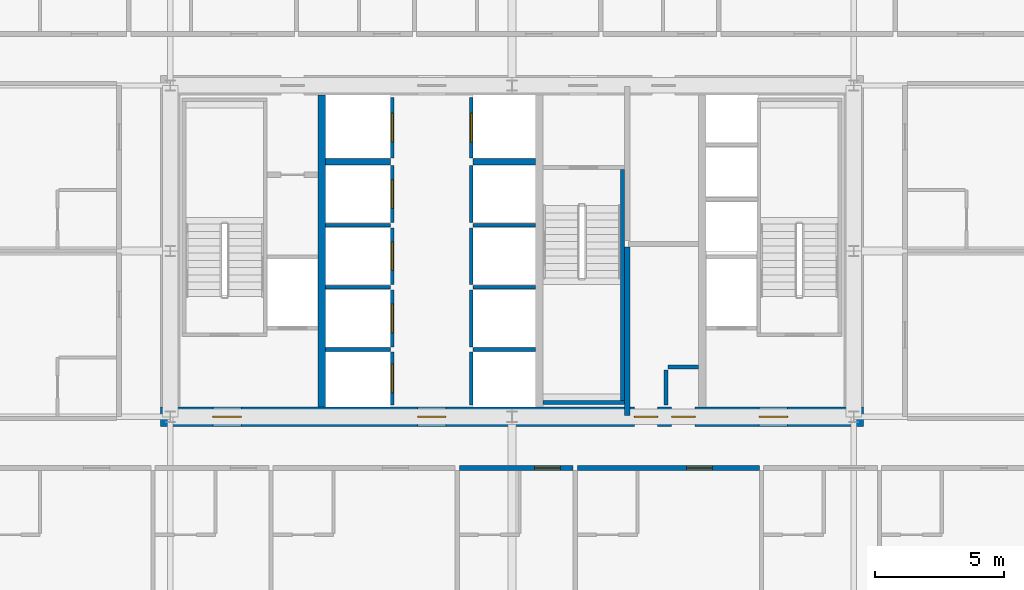
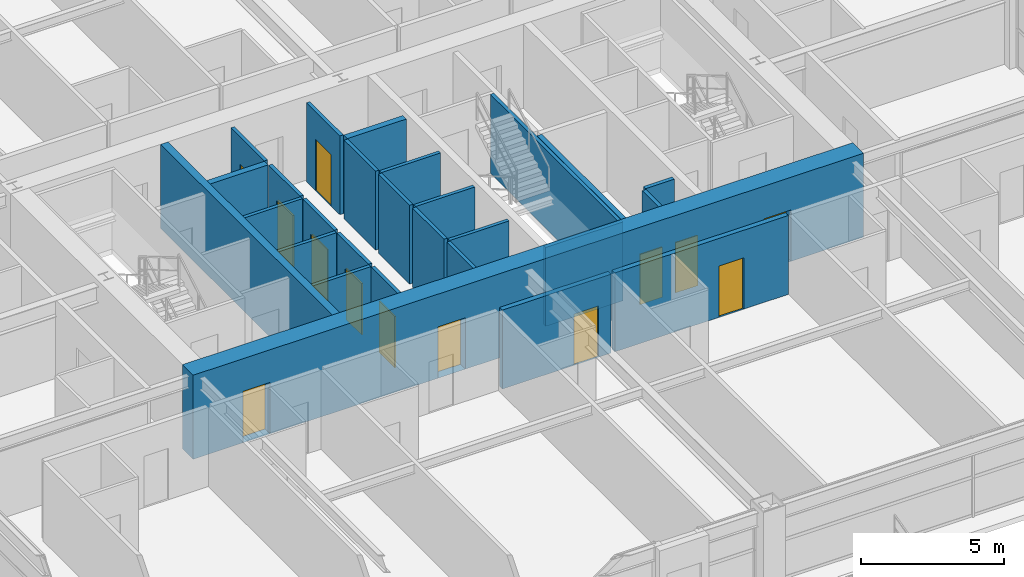
# One storey, part 39 of 43: 27 walls, 13 doors, 13 openings.
"""IFC4 building model written with IfcOpenShell, lengths in metres."""

from ifc_helpers import new_model, si_unit, direction, frame, frame_2d, origin, place, context, subcontext, project, spatial, rectangle, extrude, source, transform, mapped, material, layer, layer_set, type_object, element, fill, save


model = new_model("IFC4")

# Units and contexts
model_context = context("Model", 3, precision=1e-05, world=origin(), true_north=direction((0.0, 1.0)))
body_context = subcontext(model_context, "Body", "Model", "MODEL_VIEW")
ifc_project = project(units=[si_unit("LENGTHUNIT", "METRE"), si_unit("AREAUNIT", "SQUARE_METRE"), si_unit("VOLUMEUNIT", "CUBIC_METRE"), si_unit("PLANEANGLEUNIT", "RADIAN"), si_unit("MASSUNIT", "GRAM", prefix="KILO"), si_unit("THERMODYNAMICTEMPERATUREUNIT", "KELVIN"), si_unit("POWERUNIT", "WATT")], contexts=[model_context])

# Site, building, storey
site_placement = place(None, origin())
site = spatial("IfcSite", under=ifc_project, at=site_placement, CompositionType="ELEMENT")
building_placement = place(site_placement, origin())
building = spatial("IfcBuilding", under=site, at=building_placement, Name="Yuzanri Waterfront Tower", CompositionType="ELEMENT")
storey_placement = place(building_placement, frame((0.0, 0.0, 93.800048828125)))
storey = spatial("IfcBuildingStorey", under=building, at=storey_placement, Name="L24", CompositionType="ELEMENT", Elevation=93.800048828125)

# Wall, openings, doors
ifc_material_1 = material(Name="Concrete C55", Category="concrete")
ifc_layer_1 = layer(ifc_material_1, 0.75)
ifc_layer_set_1 = layer_set([ifc_layer_1], Name="Concrete C55")
wall_type_1 = type_object("IfcWallType", Name="Concrete C55 Low-Mid Zone Core Shear Wall 750", PredefinedType="SHEAR", material=ifc_layer_set_1)
wall_1_placement = place(storey_placement, frame((23.425048828125, 19.39990234375, 0.0), z_axis=(0.0, 0.0, 1.0), x_axis=(1.0, 0.0, 0.0)))
wall_1 = element("IfcWall", 1, at=wall_1_placement, inside=storey, type_object=wall_type_1, Name="L24 Core South Shear Wall", PredefinedType="SHEAR", context=body_context, shape_type="SweptSolid", body=[
    extrude(rectangle(XDim=27.14990234375, YDim=0.75, at=frame_2d((13.574951171875, 0.0))), origin(), (0.0, 0.0, 1.0), 3.599853515625),
])
opening_1_placement = place(wall_1_placement, frame((2.02490234375, 0.0, 0.0)))
opening_1 = element("IfcOpeningElement", 2, at=opening_1_placement, cuts=wall_1, Name="Opening FD-1100", PredefinedType="OPENING", context=body_context, shape_type="SweptSolid", body=[
    extrude(rectangle(XDim=1.10009765625, YDim=2.199951171875, at=frame_2d((0.550048828125, 1.10009765625))), frame((0.0, 0.389892578125, 0.0), z_axis=(0.0, -1.0, 0.0), x_axis=(1.0, 0.0, 0.0)), (0.0, 0.0, 1.0), 0.77978515625),
])
opening_2_placement = place(wall_1_placement, frame((9.925048828125, 0.0, 0.0)))
opening_2 = element("IfcOpeningElement", 3, at=opening_2_placement, cuts=wall_1, Name="Opening FD-1100", PredefinedType="OPENING", context=body_context, shape_type="SweptSolid", body=[
    extrude(rectangle(XDim=1.10009765625, YDim=2.199951171875, at=frame_2d((0.550048828125, 1.10009765625))), frame((0.0, 0.389892578125, 0.0), z_axis=(0.0, -1.0, 0.0), x_axis=(1.0, 0.0, 0.0)), (0.0, 0.0, 1.0), 0.77978515625),
])
opening_3_placement = place(wall_1_placement, frame((23.125, 0.0, 0.0)))
opening_3 = element("IfcOpeningElement", 4, at=opening_3_placement, cuts=wall_1, Name="Opening FD-1100", PredefinedType="OPENING", context=body_context, shape_type="SweptSolid", body=[
    extrude(rectangle(XDim=1.10009765625, YDim=2.199951171875, at=frame_2d((0.550048828125, 1.10009765625))), frame((0.0, 0.389892578125, 0.0), z_axis=(0.0, -1.0, 0.0), x_axis=(1.0, 0.0, 0.0)), (0.0, 0.0, 1.0), 0.77978515625),
])
opening_4_placement = place(wall_1_placement, frame((19.7451171875, 0.0, 0.0)))
opening_4 = element("IfcOpeningElement", 5, at=opening_4_placement, cuts=wall_1, Name="Opening FD-0900", PredefinedType="OPENING", context=body_context, shape_type="SweptSolid", body=[
    extrude(rectangle(XDim=0.89990234375, YDim=2.14990234375, at=frame_2d((0.449951171875, 1.074951171875))), frame((0.0, 0.389892578125, 0.0), z_axis=(0.0, -1.0, 0.0), x_axis=(1.0, 0.0, 0.0)), (0.0, 0.0, 1.0), 0.77978515625),
])
opening_5_placement = place(wall_1_placement, frame((18.304931640625, 0.0, 0.0)))
opening_5 = element("IfcOpeningElement", 6, at=opening_5_placement, cuts=wall_1, Name="Opening FD-0900", PredefinedType="OPENING", context=body_context, shape_type="SweptSolid", body=[
    extrude(rectangle(XDim=0.89990234375, YDim=2.14990234375, at=frame_2d((0.449951171875, 1.074951171875))), frame((0.0, 0.389892578125, 0.0), z_axis=(0.0, -1.0, 0.0), x_axis=(1.0, 0.0, 0.0)), (0.0, 0.0, 1.0), 0.77978515625),
])
ifc_material_2 = material(Name="Painted Galvanized Fire Steel", Category="steel")
door_type_1 = type_object("IfcDoorType", Name="Smoke-Proof Stair and Lobby Fire Door 1100x2200", OperationType="NOTDEFINED", PredefinedType="DOOR", material=ifc_material_2)
shared_shape_1 = source(origin(), body_context, "Body", "SweptSolid", [
    extrude(rectangle(XDim=1.10009765625, YDim=2.199951171875, at=frame_2d((0.550048828125, 1.10009765625))), frame((0.0, 0.02490234375, 0.0), z_axis=(0.0, -1.0, 0.0), x_axis=(1.0, 0.0, 0.0)), (0.0, 0.0, 1.0), 0.050048828125),
])
door_1_placement = place(opening_1_placement, origin())
door_1 = element("IfcDoor", 7, at=door_1_placement, inside=storey, type_object=door_type_1, Name="L24 West Firefighting Lobby Door", OperationType="SINGLE_SWING_RIGHT", OverallHeight=2.199951171875, OverallWidth=1.10009765625, PredefinedType="DOOR", context=body_context, shape_type="MappedRepresentation", body=[
    mapped(shared_shape_1, transform((0.0, 0.0, 0.0), scale=1.0)),
])
fill(opening_1, door_1)
door_2_placement = place(opening_2_placement, origin())
door_2 = element("IfcDoor", 8, at=door_2_placement, inside=storey, type_object=door_type_1, Name="L24 Central Lift Lobby South Door", OperationType="SINGLE_SWING_LEFT", OverallHeight=2.199951171875, OverallWidth=1.10009765625, PredefinedType="DOOR", context=body_context, shape_type="MappedRepresentation", body=[
    mapped(shared_shape_1, transform((0.0, 0.0, 0.0), scale=1.0)),
])
fill(opening_2, door_2)
door_3_placement = place(opening_3_placement, origin())
door_3 = element("IfcDoor", 9, at=door_3_placement, inside=storey, type_object=door_type_1, Name="L24 East Firefighting Lobby Door", OperationType="SINGLE_SWING_RIGHT", OverallHeight=2.199951171875, OverallWidth=1.10009765625, PredefinedType="DOOR", context=body_context, shape_type="MappedRepresentation", body=[
    mapped(shared_shape_1, transform((0.0, 0.0, 0.0), scale=1.0)),
])
fill(opening_3, door_3)
ifc_material_3 = material(Name="Painted Galvanized Fire Steel", Category="steel")
door_type_2 = type_object("IfcDoorType", Name="Riser and Service Room Fire Door 900x2150", OperationType="NOTDEFINED", PredefinedType="DOOR", material=ifc_material_3)
shared_shape_2 = source(origin(), body_context, "Body", "SweptSolid", [
    extrude(rectangle(XDim=0.89990234375, YDim=2.14990234375, at=frame_2d((0.449951171875, 1.074951171875))), frame((0.0, 0.02490234375, 0.0), z_axis=(0.0, -1.0, 0.0), x_axis=(1.0, 0.0, 0.0)), (0.0, 0.0, 1.0), 0.050048828125),
])
door_4_placement = place(opening_4_placement, origin())
door_4 = element("IfcDoor", 10, at=door_4_placement, inside=storey, type_object=door_type_2, Name="L24 East Wet Riser Door", OperationType="SINGLE_SWING_LEFT", OverallHeight=2.14990234375, OverallWidth=0.89990234375, PredefinedType="DOOR", context=body_context, shape_type="MappedRepresentation", body=[
    mapped(shared_shape_2, transform((0.0, 0.0, 0.0), scale=1.0)),
])
fill(opening_4, door_4)
door_5_placement = place(opening_5_placement, origin())
door_5 = element("IfcDoor", 11, at=door_5_placement, inside=storey, type_object=door_type_2, Name="L24 Meter and Valve Store Room", OperationType="SINGLE_SWING_RIGHT", OverallHeight=2.14990234375, OverallWidth=0.89990234375, PredefinedType="DOOR", context=body_context, shape_type="MappedRepresentation", body=[
    mapped(shared_shape_2, transform((0.0, 0.0, 0.0), scale=1.0)),
])
fill(opening_5, door_5)

# Wall, opening, door
ifc_material_4 = material(Name="Concrete C40", Category="concrete")
ifc_layer_2 = layer(ifc_material_4, 0.139892578125)
ifc_layer_set_2 = layer_set([ifc_layer_2], Name="Concrete C40")
wall_type_2 = type_object("IfcWallType", Name="Core Stair Liner and Hoistway Shaft Wall 140", PredefinedType="SOLIDWALL", material=ifc_layer_set_2)
wall_2_placement = place(storey_placement, frame((32.3701171875, 19.860107421875, 0.0), z_axis=(0.0, 0.0, 1.0), x_axis=(0.0, 1.0, 0.0)))
wall_2 = element("IfcWall", 12, at=wall_2_placement, inside=storey, type_object=wall_type_2, Name="L24 Lift PL-01 Front Shaft Wall", PredefinedType="SOLIDWALL", context=body_context, shape_type="SweptSolid", body=[
    extrude(rectangle(XDim=2.039794921875, YDim=0.139892578125, at=frame_2d((1.02001953125, 0.0))), origin(), (0.0, 0.0, 1.0), 3.3798828125),
])
opening_6_placement = place(wall_2_placement, frame((0.469970703125, 0.0, 0.0)))
opening_6 = element("IfcOpeningElement", 13, at=opening_6_placement, cuts=wall_2, Name="Opening LD-PL-01", PredefinedType="OPENING", context=body_context, shape_type="SweptSolid", body=[
    extrude(rectangle(XDim=1.10009765625, YDim=2.199951171875, at=frame_2d((0.550048828125, 1.10009765625))), frame((0.0, 0.0849609375, 0.0), z_axis=(0.0, -1.0, 0.0), x_axis=(1.0, 0.0, 0.0)), (0.0, 0.0, 1.0), 0.169677734375),
])
ifc_material_5 = material(Name="Brushed Bronze and Stainless Steel Cab", Category="steel")
door_type_3 = type_object("IfcDoorType", Name="Center-Parting Bronze Lift Landing Sliding Door 1100x2200", OperationType="NOTDEFINED", PredefinedType="DOOR", material=ifc_material_5)
shared_shape_3 = source(origin(), body_context, "Body", "SweptSolid", [
    extrude(rectangle(XDim=1.10009765625, YDim=2.199951171875, at=frame_2d((0.550048828125, 1.10009765625))), frame((0.0, 0.02490234375, 0.0), z_axis=(0.0, -1.0, 0.0), x_axis=(1.0, 0.0, 0.0)), (0.0, 0.0, 1.0), 0.050048828125),
])
door_6_placement = place(opening_6_placement, origin())
door_6 = element("IfcDoor", 14, at=door_6_placement, inside=storey, type_object=door_type_3, Name="L24 PL-01 Lift Landing Sliding Door", OperationType="SLIDING_TO_LEFT", OverallHeight=2.199951171875, OverallWidth=1.10009765625, PredefinedType="DOOR", context=body_context, shape_type="MappedRepresentation", body=[
    mapped(shared_shape_3, transform((0.0, 0.0, 0.0), scale=1.0)),
])
fill(opening_6, door_6)

wall_3_placement = place(storey_placement, frame((32.3701171875, 22.10009765625, 0.0), z_axis=(0.0, 0.0, 1.0), x_axis=(0.0, 1.0, 0.0)))
wall_3 = element("IfcWall", 15, at=wall_3_placement, inside=storey, type_object=wall_type_2, Name="L24 Lift PL-02 Front Shaft Wall", PredefinedType="SOLIDWALL", context=body_context, shape_type="SweptSolid", body=[
    extrude(rectangle(XDim=2.199951171875, YDim=0.139892578125, at=frame_2d((1.10009765625, 0.0))), origin(), (0.0, 0.0, 1.0), 3.3798828125),
])
opening_7_placement = place(wall_3_placement, frame((0.550048828125, 0.0, 0.0)))
opening_7 = element("IfcOpeningElement", 16, at=opening_7_placement, cuts=wall_3, Name="Opening LD-PL-02", PredefinedType="OPENING", context=body_context, shape_type="SweptSolid", body=[
    extrude(rectangle(XDim=1.10009765625, YDim=2.199951171875, at=frame_2d((0.550048828125, 1.10009765625))), frame((0.0, 0.0849609375, 0.0), z_axis=(0.0, -1.0, 0.0), x_axis=(1.0, 0.0, 0.0)), (0.0, 0.0, 1.0), 0.169677734375),
])
door_7_placement = place(opening_7_placement, origin())
door_7 = element("IfcDoor", 17, at=door_7_placement, inside=storey, type_object=door_type_3, Name="L24 PL-02 Lift Landing Sliding Door", OperationType="SLIDING_TO_RIGHT", OverallHeight=2.199951171875, OverallWidth=1.10009765625, PredefinedType="DOOR", context=body_context, shape_type="MappedRepresentation", body=[
    mapped(shared_shape_3, transform((0.0, 0.0, 0.0), scale=1.0)),
])
fill(opening_7, door_7)

wall_4_placement = place(storey_placement, frame((32.3701171875, 24.5, 0.0), z_axis=(0.0, 0.0, 1.0), x_axis=(0.0, 1.0, 0.0)))
wall_4 = element("IfcWall", 18, at=wall_4_placement, inside=storey, type_object=wall_type_2, Name="L24 Lift PL-03 Front Shaft Wall", PredefinedType="SOLIDWALL", context=body_context, shape_type="SweptSolid", body=[
    extrude(rectangle(XDim=2.199951171875, YDim=0.139892578125, at=frame_2d((1.10009765625, 0.0))), origin(), (0.0, 0.0, 1.0), 3.3798828125),
])
opening_8_placement = place(wall_4_placement, frame((0.550048828125, 0.0, 0.0)))
opening_8 = element("IfcOpeningElement", 19, at=opening_8_placement, cuts=wall_4, Name="Opening LD-PL-03", PredefinedType="OPENING", context=body_context, shape_type="SweptSolid", body=[
    extrude(rectangle(XDim=1.10009765625, YDim=2.199951171875, at=frame_2d((0.550048828125, 1.10009765625))), frame((0.0, 0.0849609375, 0.0), z_axis=(0.0, -1.0, 0.0), x_axis=(1.0, 0.0, 0.0)), (0.0, 0.0, 1.0), 0.169677734375),
])
door_8_placement = place(opening_8_placement, origin())
door_8 = element("IfcDoor", 20, at=door_8_placement, inside=storey, type_object=door_type_3, Name="L24 PL-03 Lift Landing Sliding Door", OperationType="SLIDING_TO_LEFT", OverallHeight=2.199951171875, OverallWidth=1.10009765625, PredefinedType="DOOR", context=body_context, shape_type="MappedRepresentation", body=[
    mapped(shared_shape_3, transform((0.0, 0.0, 0.0), scale=1.0)),
])
fill(opening_8, door_8)

wall_5_placement = place(storey_placement, frame((32.3701171875, 26.89990234375, 0.0), z_axis=(0.0, 0.0, 1.0), x_axis=(0.0, 1.0, 0.0)))
wall_5 = element("IfcWall", 21, at=wall_5_placement, inside=storey, type_object=wall_type_2, Name="L24 Lift PL-04 Front Shaft Wall", PredefinedType="SOLIDWALL", context=body_context, shape_type="SweptSolid", body=[
    extrude(rectangle(XDim=2.2001953125, YDim=0.139892578125, at=frame_2d((1.10009765625, 0.0))), origin(), (0.0, 0.0, 1.0), 3.3798828125),
])
opening_9_placement = place(wall_5_placement, frame((0.550048828125, 0.0, 0.0)))
opening_9 = element("IfcOpeningElement", 22, at=opening_9_placement, cuts=wall_5, Name="Opening LD-PL-04", PredefinedType="OPENING", context=body_context, shape_type="SweptSolid", body=[
    extrude(rectangle(XDim=1.10009765625, YDim=2.199951171875, at=frame_2d((0.550048828125, 1.10009765625))), frame((0.0, 0.0849609375, 0.0), z_axis=(0.0, -1.0, 0.0), x_axis=(1.0, 0.0, 0.0)), (0.0, 0.0, 1.0), 0.169677734375),
])
door_9_placement = place(opening_9_placement, origin())
door_9 = element("IfcDoor", 23, at=door_9_placement, inside=storey, type_object=door_type_3, Name="L24 PL-04 Lift Landing Sliding Door", OperationType="SLIDING_TO_RIGHT", OverallHeight=2.199951171875, OverallWidth=1.10009765625, PredefinedType="DOOR", context=body_context, shape_type="MappedRepresentation", body=[
    mapped(shared_shape_3, transform((0.0, 0.0, 0.0), scale=1.0)),
])
fill(opening_9, door_9)

wall_6_placement = place(storey_placement, frame((32.3701171875, 29.39990234375, 0.0), z_axis=(0.0, 0.0, 1.0), x_axis=(0.0, 1.0, 0.0)))
wall_6 = element("IfcWall", 24, at=wall_6_placement, inside=storey, type_object=wall_type_2, Name="L24 Lift SL-01 Front Shaft Wall", PredefinedType="SOLIDWALL", context=body_context, shape_type="SweptSolid", body=[
    extrude(rectangle(XDim=2.340087890625, YDim=0.139892578125, at=frame_2d((1.169921875, 0.0))), origin(), (0.0, 0.0, 1.0), 3.3798828125),
])
opening_10_placement = place(wall_6_placement, frame((0.6201171875, 0.0, 0.0)))
opening_10 = element("IfcOpeningElement", 25, at=opening_10_placement, cuts=wall_6, Name="Opening LD-SL-01", PredefinedType="OPENING", context=body_context, shape_type="SweptSolid", body=[
    extrude(rectangle(XDim=1.10009765625, YDim=2.199951171875, at=frame_2d((0.550048828125, 1.10009765625))), frame((0.0, 0.0849609375, 0.0), z_axis=(0.0, -1.0, 0.0), x_axis=(1.0, 0.0, 0.0)), (0.0, 0.0, 1.0), 0.169677734375),
])
door_10_placement = place(opening_10_placement, origin())
door_10 = element("IfcDoor", 26, at=door_10_placement, inside=storey, type_object=door_type_3, Name="L24 SL-01 Lift Landing Sliding Door", OperationType="SLIDING_TO_LEFT", OverallHeight=2.199951171875, OverallWidth=1.10009765625, PredefinedType="DOOR", context=body_context, shape_type="MappedRepresentation", body=[
    mapped(shared_shape_3, transform((0.0, 0.0, 0.0), scale=1.0)),
])
fill(opening_10, door_10)

wall_7_placement = place(storey_placement, frame((35.429931640625, 29.39990234375, 0.0), z_axis=(0.0, 0.0, 1.0), x_axis=(0.0, 1.0, 0.0)))
wall_7 = element("IfcWall", 27, at=wall_7_placement, inside=storey, type_object=wall_type_2, Name="L24 Lift SL-02 Front Shaft Wall", PredefinedType="SOLIDWALL", context=body_context, shape_type="SweptSolid", body=[
    extrude(rectangle(XDim=2.340087890625, YDim=0.139892578125, at=frame_2d((1.169921875, 0.0))), origin(), (0.0, 0.0, 1.0), 3.3798828125),
])
opening_11_placement = place(wall_7_placement, frame((0.6201171875, 0.0, 0.0)))
opening_11 = element("IfcOpeningElement", 28, at=opening_11_placement, cuts=wall_7, Name="Opening LD-SL-02", PredefinedType="OPENING", context=body_context, shape_type="SweptSolid", body=[
    extrude(rectangle(XDim=1.10009765625, YDim=2.199951171875, at=frame_2d((0.550048828125, 1.10009765625))), frame((0.0, 0.0849609375, 0.0), z_axis=(0.0, -1.0, 0.0), x_axis=(1.0, 0.0, 0.0)), (0.0, 0.0, 1.0), 0.169677734375),
])
door_11_placement = place(opening_11_placement, origin())
door_11 = element("IfcDoor", 29, at=door_11_placement, inside=storey, type_object=door_type_3, Name="L24 SL-02 Lift Landing Sliding Door", OperationType="SLIDING_TO_RIGHT", OverallHeight=2.199951171875, OverallWidth=1.10009765625, PredefinedType="DOOR", context=body_context, shape_type="MappedRepresentation", body=[
    mapped(shared_shape_3, transform((0.0, 0.0, 0.0), scale=1.0)),
])
fill(opening_11, door_11)

ifc_material_6 = material(Name="Autoclaved Aerated Concrete Blockwork", Category="masonry")
ifc_layer_3 = layer(ifc_material_6, 0.199951171875)
ifc_layer_set_3 = layer_set([ifc_layer_3], Name="Autoclaved Aerated Concrete Blockwork")
wall_type_3 = type_object("IfcWallType", Name="Corridor and Unit Party Fire Wall 200", PredefinedType="PARTITIONING", material=ifc_layer_set_3)
wall_8_placement = place(storey_placement, frame((34.965087890625, 17.419921875, 0.0), z_axis=(0.0, 0.0, 1.0), x_axis=(1.0, 0.0, 0.0)))
wall_8 = element("IfcWall", 30, at=wall_8_placement, inside=storey, type_object=wall_type_3, Name="L24 Partition UW-L24-S4-CN", PredefinedType="PARTITIONING", context=body_context, shape_type="SweptSolid", body=[
    extrude(rectangle(XDim=4.39892578125, YDim=0.199951171875, at=frame_2d((2.199462890625, 0.0))), origin(), (0.0, 0.0, 1.0), 3.3798828125),
])
opening_12_placement = place(wall_8_placement, frame((2.904052734375, 0.0, 0.0)))
opening_12 = element("IfcOpeningElement", 31, at=opening_12_placement, cuts=wall_8, Name="Opening FD-1000", PredefinedType="OPENING", context=body_context, shape_type="SweptSolid", body=[
    extrude(rectangle(XDim=1.0, YDim=2.199951171875, at=frame_2d((0.5, 1.10009765625))), frame((0.0, 0.11474609375, 0.0), z_axis=(0.0, -1.0, 0.0), x_axis=(1.0, 0.0, 0.0)), (0.0, 0.0, 1.0), 0.229736328125),
])
ifc_material_7 = material(Name="Engineered Oak Fire-Rated Timber", Category="wood")
door_type_4 = type_object("IfcDoorType", Name="Guestroom and Apartment Entrance Fire Door 1000x2200", OperationType="NOTDEFINED", PredefinedType="DOOR", material=ifc_material_7)
shared_shape_4 = source(origin(), body_context, "Body", "SweptSolid", [
    extrude(rectangle(XDim=1.0, YDim=2.199951171875, at=frame_2d((0.5, 1.10009765625))), frame((0.0, 0.02490234375, 0.0), z_axis=(0.0, -1.0, 0.0), x_axis=(1.0, 0.0, 0.0)), (0.0, 0.0, 1.0), 0.050048828125),
])
door_12_placement = place(opening_12_placement, origin())
door_12 = element("IfcDoor", 32, at=door_12_placement, inside=storey, type_object=door_type_4, Name="L24 Superior King Guest Room Entrance Door", OperationType="SINGLE_SWING_RIGHT", OverallHeight=2.199951171875, OverallWidth=1.0, PredefinedType="DOOR", context=body_context, shape_type="MappedRepresentation", body=[
    mapped(shared_shape_4, transform((0.0, 0.0, 0.0), scale=1.0)),
])
fill(opening_12, door_12)

wall_9_placement = place(storey_placement, frame((39.52392578125, 17.419921875, 0.0), z_axis=(0.0, 0.0, 1.0), x_axis=(1.0, 0.0, 0.0)))
wall_9 = element("IfcWall", 33, at=wall_9_placement, inside=storey, type_object=wall_type_3, Name="L24 Partition UW-L24-S5-CN", PredefinedType="PARTITIONING", context=body_context, shape_type="SweptSolid", body=[
    extrude(rectangle(XDim=7.030029296875, YDim=0.199951171875, at=frame_2d((3.51513671875, 0.0))), origin(), (0.0, 0.0, 1.0), 3.3798828125),
])
opening_13_placement = place(wall_9_placement, frame((4.219970703125, 0.0, 0.0)))
opening_13 = element("IfcOpeningElement", 34, at=opening_13_placement, cuts=wall_9, Name="Opening FD-1000", PredefinedType="OPENING", context=body_context, shape_type="SweptSolid", body=[
    extrude(rectangle(XDim=1.0, YDim=2.199951171875, at=frame_2d((0.5, 1.10009765625))), frame((0.0, 0.11474609375, 0.0), z_axis=(0.0, -1.0, 0.0), x_axis=(1.0, 0.0, 0.0)), (0.0, 0.0, 1.0), 0.229736328125),
])
door_13_placement = place(opening_13_placement, origin())
door_13 = element("IfcDoor", 35, at=door_13_placement, inside=storey, type_object=door_type_4, Name="L24 Superior King Junior Suite Entrance Door", OperationType="SINGLE_SWING_RIGHT", OverallHeight=2.199951171875, OverallWidth=1.0, PredefinedType="DOOR", context=body_context, shape_type="MappedRepresentation", body=[
    mapped(shared_shape_4, transform((0.0, 0.0, 0.0), scale=1.0)),
])
fill(opening_13, door_13)

# Walls
ifc_material_8 = material(Name="Concrete C50", Category="concrete")
ifc_layer_4 = layer(ifc_material_8, 0.300048828125)
ifc_layer_set_4 = layer_set([ifc_layer_4], Name="Concrete C50")
wall_type_4 = type_object("IfcWallType", Name="Concrete C50 Internal Core Shaft Structural Wall 300", PredefinedType="SOLIDWALL", material=ifc_layer_set_4)
shared_shape_5 = source(origin(), body_context, "Body", "SweptSolid", [
    extrude(rectangle(XDim=12.050048828125, YDim=0.300048828125, at=frame_2d((6.02490234375, 0.0))), origin(), (0.0, 0.0, 1.0), 3.599853515625),
])
wall_10_placement = place(storey_placement, frame((29.64990234375, 19.77490234375, 0.0), z_axis=(0.0, 0.0, 1.0), x_axis=(0.0, 1.0, 0.0)))
element("IfcWall", 36, at=wall_10_placement, inside=storey, type_object=wall_type_4, Name="L24 Core Internal Structural Web Wall 1", PredefinedType="SOLIDWALL", context=body_context, shape_type="MappedRepresentation", body=[
    mapped(shared_shape_5, transform((0.0, 0.0, 0.0), scale=1.0)),
])
shared_shape_6 = source(origin(), body_context, "Body", "SweptSolid", [
    extrude(rectangle(XDim=2.5, YDim=0.139892578125, at=frame_2d((1.25, 0.0))), origin(), (0.0, 0.0, 1.0), 3.3798828125),
])
for number, where, z_axis, x_axis, name in (
    (37, (29.800048828125, 22.0, 0.0), (0.0, 0.0, 1.0), (1.0, 0.0, 0.0), "L24 Lift PL-01 Divider Wall"),
    (38, (29.800048828125, 24.39990234375, 0.0), (0.0, 0.0, 1.0), (1.0, 0.0, 0.0), "L24 Lift PL-02 Divider Wall"),
    (39, (29.800048828125, 26.800048828125, 0.0), (0.0, 0.0, 1.0), (1.0, 0.0, 0.0), "L24 Lift PL-03 Divider Wall"),
):
    element("IfcWall", number, at=place(storey_placement, frame(where, z_axis=z_axis, x_axis=x_axis)), inside=storey, type_object=wall_type_2, Name=name, PredefinedType="SOLIDWALL", context=body_context, shape_type="MappedRepresentation", body=[
        mapped(shared_shape_6, transform((0.0, 0.0, 0.0), scale=1.0)),
    ])
ifc_material_9 = material(Name="Concrete C40", Category="concrete")
ifc_layer_5 = layer(ifc_material_9, 0.25)
ifc_layer_set_5 = layer_set([ifc_layer_5], Name="Concrete C40")
wall_type_5 = type_object("IfcWallType", Name="Smoke-Proof Stair and Lift Shaft Wall 250", PredefinedType="SOLIDWALL", material=ifc_layer_set_5)
shared_shape_7 = source(origin(), body_context, "Body", "SweptSolid", [
    extrude(rectangle(XDim=2.5, YDim=0.25, at=frame_2d((1.25, 0.0))), origin(), (0.0, 0.0, 1.0), 3.3798828125),
])
wall_11_placement = place(storey_placement, frame((29.800048828125, 29.25, 0.0), z_axis=(0.0, 0.0, 1.0), x_axis=(1.0, 0.0, 0.0)))
element("IfcWall", 40, at=wall_11_placement, inside=storey, type_object=wall_type_5, Name="L24 Lift SL-01 South Shaft Wall", PredefinedType="SOLIDWALL", context=body_context, shape_type="MappedRepresentation", body=[
    mapped(shared_shape_7, transform((0.0, 0.0, 0.0), scale=1.0)),
])
shared_shape_8 = source(origin(), body_context, "Body", "SweptSolid", [
    extrude(rectangle(XDim=2.039794921875, YDim=0.139892578125, at=frame_2d((1.02001953125, 0.0))), origin(), (0.0, 0.0, 1.0), 3.3798828125),
])
wall_12_placement = place(storey_placement, frame((35.429931640625, 19.860107421875, 0.0), z_axis=(0.0, 0.0, 1.0), x_axis=(0.0, 1.0, 0.0)))
element("IfcWall", 41, at=wall_12_placement, inside=storey, type_object=wall_type_2, Name="L24 Lift PL-05 Front Shaft Wall", PredefinedType="SOLIDWALL", context=body_context, shape_type="MappedRepresentation", body=[
    mapped(shared_shape_8, transform((0.0, 0.0, 0.0), scale=1.0)),
])
shared_shape_9 = source(origin(), body_context, "Body", "SweptSolid", [
    extrude(rectangle(XDim=2.39990234375, YDim=0.139892578125, at=frame_2d((1.199951171875, 0.0))), origin(), (0.0, 0.0, 1.0), 3.3798828125),
])
for number, where, z_axis, x_axis, name in (
    (42, (35.5, 22.0, 0.0), (0.0, 0.0, 1.0), (1.0, 0.0, 0.0), "L24 Lift PL-05 Divider Wall"),
    (43, (35.5, 24.39990234375, 0.0), (0.0, 0.0, 1.0), (1.0, 0.0, 0.0), "L24 Lift PL-06 Divider Wall"),
    (44, (35.5, 26.800048828125, 0.0), (0.0, 0.0, 1.0), (1.0, 0.0, 0.0), "L24 Lift PL-07 Divider Wall"),
):
    element("IfcWall", number, at=place(storey_placement, frame(where, z_axis=z_axis, x_axis=x_axis)), inside=storey, type_object=wall_type_2, Name=name, PredefinedType="SOLIDWALL", context=body_context, shape_type="MappedRepresentation", body=[
        mapped(shared_shape_9, transform((0.0, 0.0, 0.0), scale=1.0)),
    ])
shared_shape_10 = source(origin(), body_context, "Body", "SweptSolid", [
    extrude(rectangle(XDim=2.199951171875, YDim=0.139892578125, at=frame_2d((1.10009765625, 0.0))), origin(), (0.0, 0.0, 1.0), 3.3798828125),
])
for number, where, z_axis, x_axis, name in (
    (45, (35.429931640625, 22.10009765625, 0.0), (0.0, 0.0, 1.0), (0.0, 1.0, 0.0), "L24 Lift PL-06 Front Shaft Wall"),
    (46, (35.429931640625, 24.5, 0.0), (0.0, 0.0, 1.0), (0.0, 1.0, 0.0), "L24 Lift PL-07 Front Shaft Wall"),
):
    element("IfcWall", number, at=place(storey_placement, frame(where, z_axis=z_axis, x_axis=x_axis)), inside=storey, type_object=wall_type_2, Name=name, PredefinedType="SOLIDWALL", context=body_context, shape_type="MappedRepresentation", body=[
        mapped(shared_shape_10, transform((0.0, 0.0, 0.0), scale=1.0)),
    ])
shared_shape_11 = source(origin(), body_context, "Body", "SweptSolid", [
    extrude(rectangle(XDim=2.2001953125, YDim=0.139892578125, at=frame_2d((1.10009765625, 0.0))), origin(), (0.0, 0.0, 1.0), 3.3798828125),
])
wall_13_placement = place(storey_placement, frame((35.429931640625, 26.89990234375, 0.0), z_axis=(0.0, 0.0, 1.0), x_axis=(0.0, 1.0, 0.0)))
element("IfcWall", 47, at=wall_13_placement, inside=storey, type_object=wall_type_2, Name="L24 Lift PL-08 Front Shaft Wall", PredefinedType="SOLIDWALL", context=body_context, shape_type="MappedRepresentation", body=[
    mapped(shared_shape_11, transform((0.0, 0.0, 0.0), scale=1.0)),
])
shared_shape_12 = source(origin(), body_context, "Body", "SweptSolid", [
    extrude(rectangle(XDim=2.39990234375, YDim=0.25, at=frame_2d((1.199951171875, 0.0))), origin(), (0.0, 0.0, 1.0), 3.3798828125),
])
wall_14_placement = place(storey_placement, frame((35.5, 29.25, 0.0), z_axis=(0.0, 0.0, 1.0), x_axis=(1.0, 0.0, 0.0)))
element("IfcWall", 48, at=wall_14_placement, inside=storey, type_object=wall_type_5, Name="L24 Lift SL-02 South Shaft Wall", PredefinedType="SOLIDWALL", context=body_context, shape_type="MappedRepresentation", body=[
    mapped(shared_shape_12, transform((0.0, 0.0, 0.0), scale=1.0)),
])
shared_shape_13 = source(origin(), body_context, "Body", "SweptSolid", [
    extrude(rectangle(XDim=3.14013671875, YDim=0.139892578125, at=frame_2d((1.570068359375, 0.0))), origin(), (0.0, 0.0, 1.0), 3.3798828125),
])
wall_15_placement = place(storey_placement, frame((38.199951171875, 19.949951171875, 0.0), z_axis=(0.0, 0.0, 1.0), x_axis=(1.0, 0.0, 0.0)))
element("IfcWall", 49, at=wall_15_placement, inside=storey, type_object=wall_type_2, Name="L24 Stair ST-03 South Shaft Wall", PredefinedType="SOLIDWALL", context=body_context, shape_type="MappedRepresentation", body=[
    mapped(shared_shape_13, transform((0.0, 0.0, 0.0), scale=1.0)),
])
shared_shape_14 = source(origin(), body_context, "Body", "SweptSolid", [
    extrude(rectangle(XDim=8.93994140625, YDim=0.139892578125, at=frame_2d((4.469970703125, 0.0))), origin(), (0.0, 0.0, 1.0), 3.3798828125),
])
wall_16_placement = place(storey_placement, frame((41.27001953125, 20.02001953125, 0.0), z_axis=(0.0, 0.0, 1.0), x_axis=(0.0, 1.0, 0.0)))
element("IfcWall", 50, at=wall_16_placement, inside=storey, type_object=wall_type_2, Name="L24 Stair ST-03 East Shaft Wall", PredefinedType="SOLIDWALL", context=body_context, shape_type="MappedRepresentation", body=[
    mapped(shared_shape_14, transform((0.0, 0.0, 0.0), scale=1.0)),
])
ifc_material_10 = material(Name="Gypsum Fireboard Acoustic Stud Wall", Category="gypsum")
ifc_layer_6 = layer(ifc_material_10, 0.159912109375)
ifc_layer_set_6 = layer_set([ifc_layer_6], Name="Gypsum Fireboard Acoustic Stud Wall")
wall_type_6 = type_object("IfcWallType", Name="Acoustic Suite Demising Partition 160", PredefinedType="PARTITIONING", material=ifc_layer_set_6)
shared_shape_15 = source(origin(), body_context, "Body", "SweptSolid", [
    extrude(rectangle(XDim=1.33984375, YDim=0.159912109375, at=frame_2d((0.669921875, 0.0))), origin(), (0.0, 0.0, 1.0), 3.3798828125),
])
wall_17_placement = place(storey_placement, frame((42.949951171875, 19.860107421875, 0.0), z_axis=(0.0, 0.0, 1.0), x_axis=(0.0, 1.0, 0.0)))
element("IfcWall", 51, at=wall_17_placement, inside=storey, type_object=wall_type_6, Name="L24 East Wet Riser West Wall", PredefinedType="PARTITIONING", context=body_context, shape_type="MappedRepresentation", body=[
    mapped(shared_shape_15, transform((0.0, 0.0, 0.0), scale=1.0)),
])
shared_shape_16 = source(origin(), body_context, "Body", "SweptSolid", [
    extrude(rectangle(XDim=1.169921875, YDim=0.159912109375, at=frame_2d((0.5849609375, 0.0))), origin(), (0.0, 0.0, 1.0), 3.3798828125),
])
wall_18_placement = place(storey_placement, frame((43.030029296875, 21.320068359375, 0.0), z_axis=(0.0, 0.0, 1.0), x_axis=(1.0, 0.0, 0.0)))
element("IfcWall", 52, at=wall_18_placement, inside=storey, type_object=wall_type_6, Name="L24 East Wet Riser North Wall", PredefinedType="PARTITIONING", context=body_context, shape_type="MappedRepresentation", body=[
    mapped(shared_shape_16, transform((0.0, 0.0, 0.0), scale=1.0)),
])
shared_shape_17 = source(origin(), body_context, "Body", "SweptSolid", [
    extrude(rectangle(XDim=6.510009765625, YDim=0.199951171875, at=frame_2d((3.2548828125, 0.0))), origin(), (0.0, 0.0, 1.0), 3.3798828125),
])
wall_19_placement = place(storey_placement, frame((41.449951171875, 19.43994140625, 0.0), z_axis=(0.0, 0.0, 1.0), x_axis=(0.0, 1.0, 0.0)))
element("IfcWall", 53, at=wall_19_placement, inside=storey, type_object=wall_type_3, Name="L24 Core BOH West Wall 1", PredefinedType="PARTITIONING", context=body_context, shape_type="MappedRepresentation", body=[
    mapped(shared_shape_17, transform((0.0, 0.0, 0.0), scale=1.0)),
])

save(model, "model.ifc")
